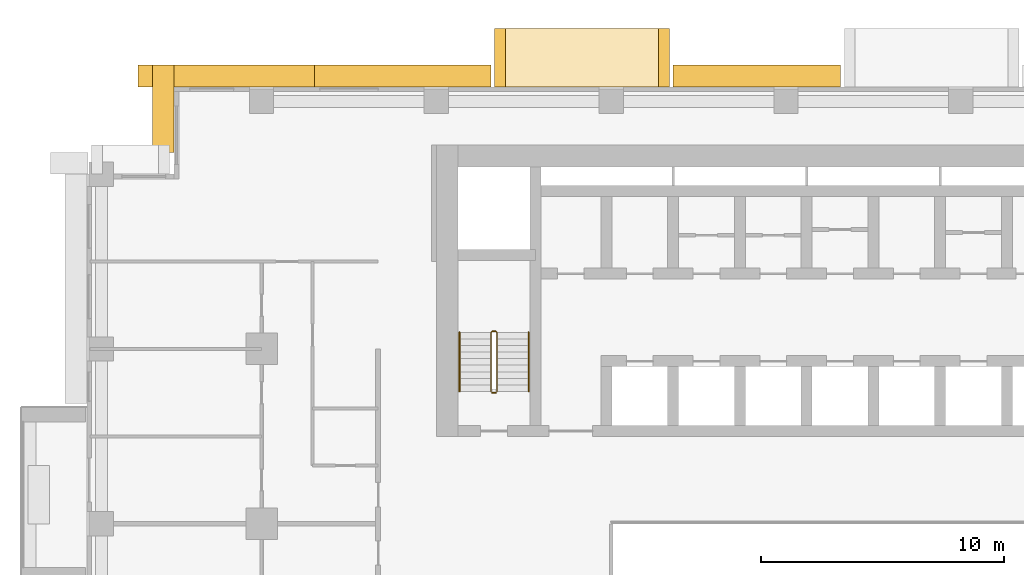
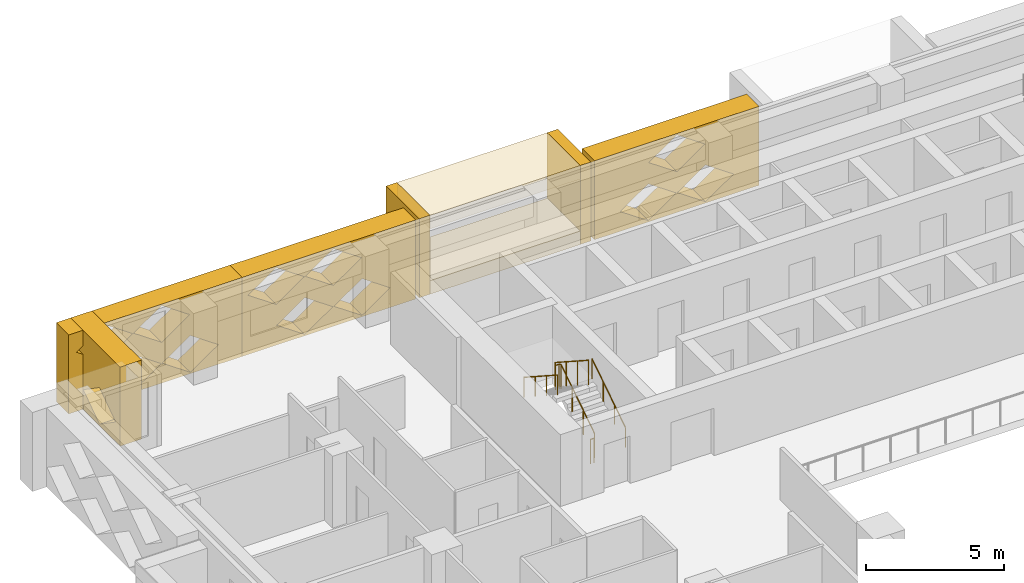
# One storey, part 15 of 17: 8 coverings, 4 railings.
"""IFC4 building model written with IfcOpenShell, lengths in metres."""

from ifc_helpers import new_model, si_unit, direction, frame, origin, origin_2d, place, context, subcontext, project, spatial, polyline, circle, outline, extrude, material, type_object, element, save


model = new_model("IFC4")

# Units and contexts
model_context = context("Model", 3, precision=1e-05, world=origin(), true_north=direction((0.0, 1.0)))
body_context = subcontext(model_context, "Body", "Model", "MODEL_VIEW")
ifc_project = project(units=[si_unit("LENGTHUNIT", "METRE"), si_unit("AREAUNIT", "SQUARE_METRE"), si_unit("VOLUMEUNIT", "CUBIC_METRE"), si_unit("PLANEANGLEUNIT", "RADIAN"), si_unit("MASSUNIT", "GRAM", prefix="KILO")], contexts=[model_context])

# Site, building, storey
site_placement = place(None, origin())
site = spatial("IfcSite", under=ifc_project, at=site_placement, CompositionType="ELEMENT")
building_placement = place(site_placement, origin())
building = spatial("IfcBuilding", under=site, at=building_placement, Name="Saffron Iwan Residences", CompositionType="ELEMENT")
storey_placement = place(building_placement, frame((0.0, 0.0, 62.0)))
storey = spatial("IfcBuildingStorey", under=building, at=storey_placement, Name="L15", CompositionType="ELEMENT", Elevation=62.0)

# Coverings
ifc_material_1 = material(Name="Precast concrete C40/50", Category="concrete")
covering_type_1 = type_object("IfcCoveringType", Name="OUTER SKIN LATTICE SCREEN", PredefinedType="CLADDING", material=ifc_material_1)
covering_1_placement = place(storey_placement, frame((45.449951171875, 80.39990234375, -0.320068359375), z_axis=(0.0, 1.0, 0.0), x_axis=(-1.0, 0.0, 0.0)))
element("IfcCovering", 1, at=covering_1_placement, inside=storey, type_object=covering_type_1, Name="OUTER SKIN lattice screen L15 F5.3", PredefinedType="CLADDING", context=body_context, shape_type="SweptSolid", body=[
    extrude(outline(polyline([(0.0, 0.0), (6.89990234375, 0.0), (6.89990234375, 3.5), (0.0, 3.5), (0.0, 0.0)]), holes=[polyline([(1.070068359375, 0.875), (2.25, 0.06005859375), (3.429931640625, 0.875), (2.25, 1.68994140625), (1.070068359375, 0.875)]), polyline([(3.469970703125, 0.875), (4.64990234375, 0.06005859375), (5.830078125, 0.875), (4.64990234375, 1.68994140625), (3.469970703125, 0.875)]), polyline([(2.27001953125, 2.625), (3.449951171875, 1.81005859375), (4.6298828125, 2.625), (3.449951171875, 3.43994140625), (2.27001953125, 2.625)])]), origin(), (0.0, 0.0, 1.0), 0.900146484375),
])
covering_2_placement = place(storey_placement, frame((31.050048828125, 80.39990234375, -0.320068359375), z_axis=(0.0, 1.0, 0.0), x_axis=(-1.0, 0.0, 0.0)))
element("IfcCovering", 2, at=covering_2_placement, inside=storey, type_object=covering_type_1, Name="OUTER SKIN lattice screen L15 F5.4", PredefinedType="CLADDING", context=body_context, shape_type="SweptSolid", body=[
    extrude(outline(polyline([(0.0, 0.0), (7.27490234375, 0.0), (7.27490234375, 3.5), (0.0, 3.5), (0.0, 0.0)]), holes=[polyline([(1.070068359375, 0.875), (2.25, 0.06005859375), (3.429931640625, 0.875), (2.25, 1.68994140625), (1.070068359375, 0.875)]), polyline([(3.469970703125, 0.875), (4.64990234375, 0.06005859375), (5.830078125, 0.875), (4.64990234375, 1.68994140625), (3.469970703125, 0.875)]), polyline([(2.27001953125, 2.625), (3.449951171875, 1.81005859375), (4.6298828125, 2.625), (3.449951171875, 3.43994140625), (2.27001953125, 2.625)]), polyline([(4.669921875, 2.625), (5.85009765625, 1.81005859375), (7.030029296875, 2.625), (5.85009765625, 3.43994140625), (4.669921875, 2.625)])]), origin(), (0.0, 0.0, 1.0), 0.900146484375),
])
covering_3_placement = place(storey_placement, frame((23.77490234375, 80.39990234375, -0.320068359375), z_axis=(0.0, 1.0, 0.0), x_axis=(-1.0, 0.0, 0.0)))
element("IfcCovering", 3, at=covering_3_placement, inside=storey, type_object=covering_type_1, Name="OUTER SKIN lattice screen L15 F5.5", PredefinedType="CLADDING", context=body_context, shape_type="SweptSolid", body=[
    extrude(outline(polyline([(0.0, 0.0), (7.27490234375, 0.0), (7.27490234375, 3.5), (0.0, 3.5), (0.0, 0.0)]), holes=[polyline([(0.9951171875, 0.875), (2.175048828125, 0.06005859375), (3.35498046875, 0.875), (2.175048828125, 1.68994140625), (0.9951171875, 0.875)]), polyline([(3.39501953125, 0.875), (4.574951171875, 0.06005859375), (5.7548828125, 0.875), (4.574951171875, 1.68994140625), (3.39501953125, 0.875)]), polyline([(2.195068359375, 2.625), (3.375, 1.81005859375), (4.554931640625, 2.625), (3.375, 3.43994140625), (2.195068359375, 2.625)]), polyline([(4.594970703125, 2.625), (5.77490234375, 1.81005859375), (6.955078125, 2.625), (5.77490234375, 3.43994140625), (4.594970703125, 2.625)])]), origin(), (0.0, 0.0, 1.0), 0.900146484375),
])
covering_4_placement = place(storey_placement, frame((18.0, 81.300048828125, -0.320068359375), z_axis=(-1.0, 0.0, 0.0), x_axis=(0.0, -1.0, 0.0)))
element("IfcCovering", 4, at=covering_4_placement, inside=storey, type_object=covering_type_1, Name="OUTER SKIN lattice screen L15 F6.0", PredefinedType="CLADDING", context=body_context, shape_type="SweptSolid", body=[
    extrude(outline(polyline([(0.0, 0.0), (3.60009765625, 0.0), (3.60009765625, 3.5), (0.0, 3.5), (0.0, 0.0)]), holes=[polyline([(0.919921875, 0.875), (2.10009765625, 0.06005859375), (3.280029296875, 0.875), (2.10009765625, 1.68994140625), (0.919921875, 0.875)])]), origin(), (0.0, 0.0, 1.0), 0.89990234375),
])

# Railings
ifc_material_2 = material(Name="Steel S355", Category="steel")
railing_type_1 = type_object("IfcRailingType", Name="Stair guard 1100", PredefinedType="GUARDRAIL", material=ifc_material_2)
railing_1_placement = place(storey_placement, frame((31.300048828125, 67.85009765625, 0.175048828125)))
element("IfcRailing", 5, at=railing_1_placement, inside=storey, type_object=railing_type_1, Name="L15 ST-W stair guard 1", PredefinedType="GUARDRAIL", context=body_context, shape_type="SweptSolid", body=[
    extrude(circle(Radius=0.02392578125, at=origin_2d()), frame((0.0, 0.0, 1.076171875), z_axis=(0.0, 0.839153699163, 0.543894354798), x_axis=(-1.0, 0.0, 0.0)), (0.0, 0.0, 1.0), 2.895751953125),
    extrude(circle(Radius=0.02392578125, at=origin_2d()), frame((0.0, 2.429931640625, 2.65087890625), z_axis=(-0.707106781187, 0.707106781187, 0.0), x_axis=(-0.707106781187, -0.707106781187, 0.0)), (0.0, 0.0, 1.0), 0.07080078125),
    extrude(circle(Radius=0.02392578125, at=origin_2d()), frame((-0.050048828125, 2.47998046875, 2.65087890625), z_axis=(-1.0, 0.0, 0.0), x_axis=(0.0, -1.0, 0.0)), (0.0, 0.0, 1.0), 0.14990234375),
    extrude(circle(Radius=0.02392578125, at=origin_2d()), frame((-0.199951171875, 2.47998046875, 2.65087890625), z_axis=(-0.265065253269, -0.265065253269, 0.927081885822), x_axis=(0.707106781187, -0.707106781187, 0.0)), (0.0, 0.0, 1.0), 0.188720703125),
    extrude(circle(Radius=0.02392578125, at=origin_2d()), frame((-0.25, 2.429931640625, 2.826171875), z_axis=(0.0, -0.839153699163, 0.543894354798), x_axis=(1.0, 0.0, 0.0)), (0.0, 0.0, 1.0), 2.895751953125),
    extrude(circle(Radius=0.02099609375, at=origin_2d()), origin(), (0.0, 0.0, 1.0), 1.052001953125),
    extrude(circle(Radius=0.02099609375, at=origin_2d()), frame((0.0, 0.81005859375, 0.52490234375)), (0.0, 0.0, 1.0), 1.052001953125),
    extrude(circle(Radius=0.02099609375, at=origin_2d()), frame((0.0, 1.619873046875, 1.050048828125)), (0.0, 0.0, 1.0), 1.052001953125),
    extrude(circle(Radius=0.02099609375, at=origin_2d()), frame((0.0, 2.429931640625, 1.574951171875)), (0.0, 0.0, 1.0), 1.052001953125),
    extrude(circle(Radius=0.02099609375, at=origin_2d()), frame((-0.050048828125, 2.47998046875, 1.574951171875)), (0.0, 0.0, 1.0), 1.052001953125),
    extrude(circle(Radius=0.02099609375, at=origin_2d()), frame((-0.199951171875, 2.47998046875, 1.574951171875)), (0.0, 0.0, 1.0), 1.052001953125),
    extrude(circle(Radius=0.02099609375, at=origin_2d()), frame((-0.25, 2.429931640625, 1.75)), (0.0, 0.0, 1.0), 1.052001953125),
    extrude(circle(Radius=0.02099609375, at=origin_2d()), frame((-0.25, 1.619873046875, 2.27490234375)), (0.0, 0.0, 1.0), 1.052001953125),
    extrude(circle(Radius=0.02099609375, at=origin_2d()), frame((-0.25, 0.81005859375, 2.800048828125)), (0.0, 0.0, 1.0), 1.052001953125),
    extrude(circle(Radius=0.02099609375, at=origin_2d()), frame((-0.25, 0.0, 3.324951171875)), (0.0, 0.0, 1.0), 1.052001953125),
])
railing_2_placement = place(storey_placement, frame((31.25, 67.800048828125, 0.0)))
element("IfcRailing", 6, at=railing_2_placement, inside=storey, type_object=railing_type_1, Name="L15 ST-W stair guard 2", PredefinedType="GUARDRAIL", context=body_context, shape_type="SweptSolid", body=[
    extrude(circle(Radius=0.02392578125, at=origin_2d()), frame((0.0, 0.0, 1.076171875), z_axis=(-1.0, 0.0, 0.0), x_axis=(0.0, -1.0, 0.0)), (0.0, 0.0, 1.0), 0.14990234375),
    extrude(circle(Radius=0.02099609375, at=origin_2d()), origin(), (0.0, 0.0, 1.0), 1.052001953125),
    extrude(circle(Radius=0.02099609375, at=origin_2d()), frame((-0.14990234375, 0.0, 0.0)), (0.0, 0.0, 1.0), 1.052001953125),
])
ifc_material_3 = material(Name="Stainless steel 316", Category="steel")
railing_type_2 = type_object("IfcRailingType", Name="Stair handrail 900", PredefinedType="HANDRAIL", material=ifc_material_3)
railing_3_placement = place(storey_placement, frame((32.60009765625, 67.85009765625, 0.175048828125)))
element("IfcRailing", 7, at=railing_3_placement, inside=storey, type_object=railing_type_2, Name="L15 ST-W stair handrail 1", PredefinedType="HANDRAIL", context=body_context, shape_type="SweptSolid", body=[
    extrude(circle(Radius=0.02392578125, at=origin_2d()), frame((0.0, 0.0, 0.8759765625), z_axis=(0.0, 0.839153699163, 0.543894354798), x_axis=(-1.0, 0.0, 0.0)), (0.0, 0.0, 1.0), 2.895751953125),
    extrude(circle(Radius=0.02099609375, at=origin_2d()), origin(), (0.0, 0.0, 1.0), 0.851806640625),
    extrude(circle(Radius=0.02099609375, at=origin_2d()), frame((0.0, 0.81005859375, 0.52490234375)), (0.0, 0.0, 1.0), 0.851806640625),
    extrude(circle(Radius=0.02099609375, at=origin_2d()), frame((0.0, 1.619873046875, 1.050048828125)), (0.0, 0.0, 1.0), 0.851806640625),
    extrude(circle(Radius=0.02099609375, at=origin_2d()), frame((0.0, 2.429931640625, 1.574951171875)), (0.0, 0.0, 1.0), 0.851806640625),
])
railing_4_placement = place(storey_placement, frame((29.75, 70.280029296875, 1.925048828125)))
element("IfcRailing", 8, at=railing_4_placement, inside=storey, type_object=railing_type_2, Name="L15 ST-W stair handrail 2", PredefinedType="HANDRAIL", context=body_context, shape_type="SweptSolid", body=[
    extrude(circle(Radius=0.02392578125, at=origin_2d()), frame((0.0, 0.0, 0.8759765625), z_axis=(0.0, -0.839153699163, 0.543894354798), x_axis=(1.0, 0.0, 0.0)), (0.0, 0.0, 1.0), 2.895751953125),
    extrude(circle(Radius=0.02099609375, at=origin_2d()), origin(), (0.0, 0.0, 1.0), 0.851806640625),
    extrude(circle(Radius=0.02099609375, at=origin_2d()), frame((0.0, -0.81005859375, 0.52490234375)), (0.0, 0.0, 1.0), 0.851806640625),
    extrude(circle(Radius=0.02099609375, at=origin_2d()), frame((0.0, -1.619873046875, 1.050048828125)), (0.0, 0.0, 1.0), 0.851806640625),
    extrude(circle(Radius=0.02099609375, at=origin_2d()), frame((0.0, -2.429931640625, 1.574951171875)), (0.0, 0.0, 1.0), 0.851806640625),
])

# Coverings
ifc_material_4 = material(Name="Precast concrete C40/50 white painted", Category="concrete")
covering_type_2 = type_object("IfcCoveringType", Name="WHITE SUN FRAME PRECAST", PredefinedType="CLADDING", material=ifc_material_4)
for number, where, z_axis, x_axis, name in (
    (9, (38.39990234375, 80.39990234375, -0.320068359375), (0.0, 1.0, 0.0), (-1.0, 0.0, 0.0), "Sun frame L15 F5 44.4a"),
    (10, (31.64990234375, 80.39990234375, -0.320068359375), (0.0, 1.0, 0.0), (-1.0, 0.0, 0.0), "Sun frame L15 F5 44.4b"),
):
    element("IfcCovering", number, at=place(storey_placement, frame(where, z_axis=z_axis, x_axis=x_axis)), inside=storey, type_object=covering_type_2, Name=name, PredefinedType="CLADDING", context=body_context, shape_type="SweptSolid", body=[
        extrude(outline(polyline([(0.0, 0.0), (0.449951171875, 0.0), (0.449951171875, 3.5), (0.0, 3.5), (0.0, 0.0)])), origin(), (0.0, 0.0, 1.0), 2.400146484375),
    ])
for number, where, z_axis, x_axis, name in (
    (11, (37.949951171875, 80.39990234375, 2.580078125), (0.0, 1.0, 0.0), (-1.0, 0.0, 0.0), "Sun frame L15 F5 44.4h"),
    (12, (37.949951171875, 80.39990234375, -0.320068359375), (0.0, 1.0, 0.0), (-1.0, 0.0, 0.0), "Sun frame L15 F5 44.4s"),
):
    element("IfcCovering", number, at=place(storey_placement, frame(where, z_axis=z_axis, x_axis=x_axis)), inside=storey, type_object=covering_type_2, Name=name, PredefinedType="CLADDING", context=body_context, shape_type="SweptSolid", body=[
        extrude(outline(polyline([(0.0, 0.0), (6.300048828125, 0.0), (6.300048828125, 0.60009765625), (0.0, 0.60009765625), (0.0, 0.0)])), origin(), (0.0, 0.0, 1.0), 2.400146484375),
    ])

save(model, "model.ifc")
